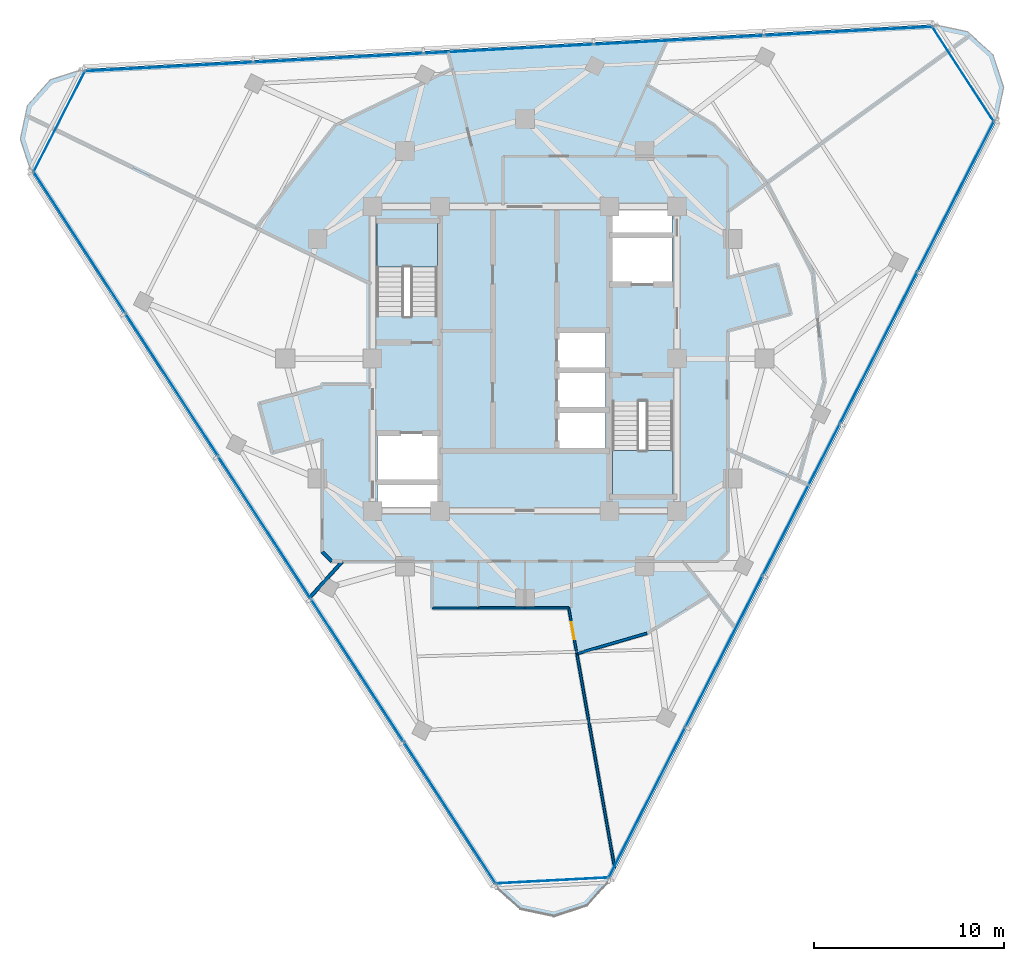
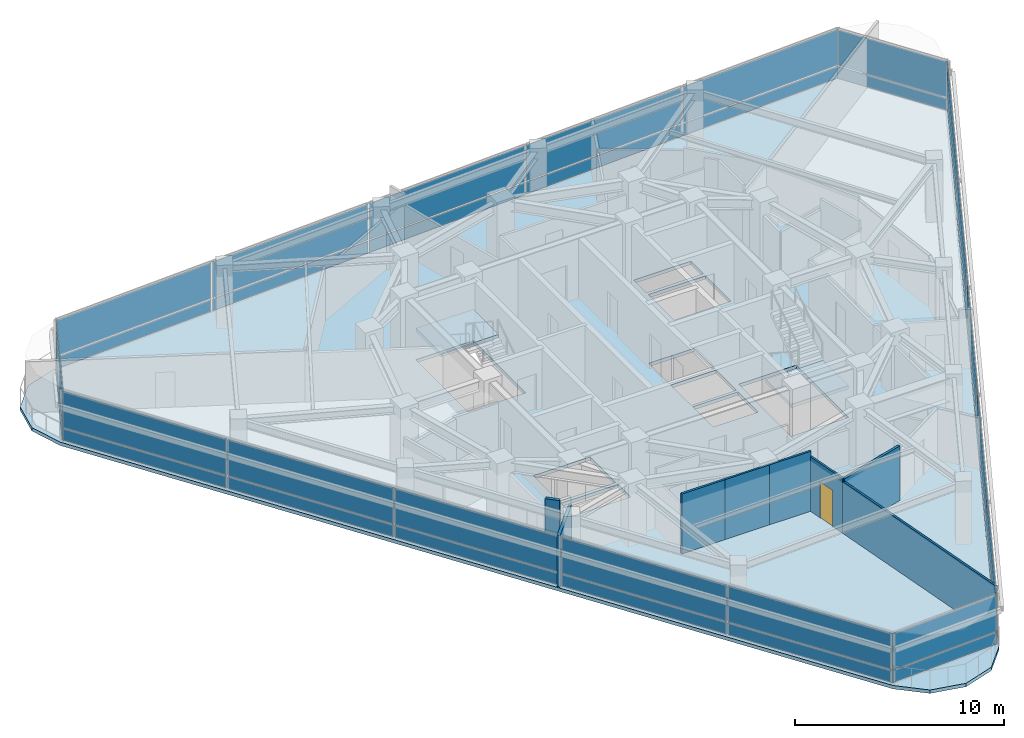
# One storey, part 7 of 15: 36 plates, 8 walls, 3 slabs, 1 door, 1 opening, 8 elements without a shape of their own.
"""IFC4 building model written with IfcOpenShell, lengths in metres."""

from ifc_helpers import new_model, si_unit, direction, frame, frame_2d, origin, origin_2d, place, context, subcontext, project, spatial, polyline, rectangle, outline, extrude, material, layer, layer_set, type_object, element, fill, aggregate, save


model = new_model("IFC4")

# Units and contexts
model_context = context("Model", 3, precision=1e-05, world=origin(), true_north=direction((0.0, 1.0)))
body_context = subcontext(model_context, "Body", "Model", "MODEL_VIEW")
ifc_project = project(units=[si_unit("LENGTHUNIT", "METRE"), si_unit("AREAUNIT", "SQUARE_METRE"), si_unit("VOLUMEUNIT", "CUBIC_METRE"), si_unit("PLANEANGLEUNIT", "RADIAN"), si_unit("MASSUNIT", "GRAM", prefix="KILO")], contexts=[model_context])

# Site, building, storey
site_placement = place(None, origin())
site = spatial("IfcSite", under=ifc_project, at=site_placement, CompositionType="ELEMENT")
building_placement = place(site_placement, origin())
building = spatial("IfcBuilding", under=site, at=building_placement, Name="Terralouvre Media Tower", CompositionType="ELEMENT")
storey_placement = place(building_placement, frame((0.0, 0.0, 248.5)))
storey = spatial("IfcBuildingStorey", under=building, at=storey_placement, Name="L64", CompositionType="ELEMENT", Elevation=248.5)

# Slab
ifc_material_1 = material(Name="Concrete C40/50", Category="concrete")
ifc_layer_1 = layer(ifc_material_1, 0.199951171875, Name="Composite Tower Floor Slab S-TYP200")
ifc_layer_set_1 = layer_set([ifc_layer_1], Name="Concrete C40/50")
slab_type_1 = type_object("IfcSlabType", Name="Composite Tower Floor Slab S-TYP200", PredefinedType="FLOOR", material=ifc_layer_set_1)
slab_1_placement = place(storey_placement, frame((0.0, 0.0, -0.199951171875), z_axis=(0.0, 0.0, 1.0), x_axis=(0.45399049974, 0.891006524188, 0.0)))
element("IfcSlab", 1, at=slab_1_placement, inside=storey, type_object=slab_type_1, Name="L64 Structural Floor Slab", PredefinedType="FLOOR", context=body_context, shape_type="SweptSolid", body=[
    extrude(outline(polyline([(-25.43115234375, -11.1826171875), (-25.89990234375, -12.9326171875), (-25.43115234375, -14.6826171875), (-24.14990234375, -15.963623046875), (-22.39990234375, -16.4326171875), (22.39990234375, -16.4326171875), (24.14990234375, -15.963623046875), (25.43115234375, -14.6826171875), (25.89990234375, -12.9326171875), (25.43115234375, -11.1826171875), (3.031005859375, 27.615234375), (1.75, 28.896484375), (0.0, 29.365234375), (-1.75, 28.896484375), (-3.031005859375, 27.615234375), (-25.43115234375, -11.1826171875)]), holes=[polyline([(-7.968994140625, 1.102294921875), (-9.0380859375, 0.5576171875), (-10.46826171875, 3.3642578125), (-9.399169921875, 3.908935546875), (-7.968994140625, 1.102294921875)]), polyline([(-5.60791015625, 2.305419921875), (-7.790771484375, 1.193115234375), (-9.220947265625, 3.999755859375), (-7.037841796875, 5.112060546875), (-5.60791015625, 2.305419921875)]), polyline([(-4.38037109375, -7.39453125), (0.088134765625, -5.117919921875), (1.53173828125, -7.951171875), (-2.936767578125, -10.22802734375), (-4.38037109375, -7.39453125)]), polyline([(-0.547607421875, -5.048828125), (-2.276123046875, -5.9296875), (-3.4111328125, -3.7021484375), (-1.6826171875, -2.8212890625), (-0.547607421875, -5.048828125)]), polyline([(1.323486328125, -4.095458984375), (-0.405029296875, -4.976318359375), (-1.5400390625, -2.748779296875), (0.188720703125, -1.867919921875), (1.323486328125, -4.095458984375)]), polyline([(3.194580078125, -3.14208984375), (1.466064453125, -4.02294921875), (0.3310546875, -1.79541015625), (2.059814453125, -0.91455078125), (3.194580078125, -3.14208984375)]), polyline([(4.38037109375, 7.39453125), (-0.088134765625, 5.117919921875), (-1.53173828125, 7.951171875), (2.936767578125, 10.22802734375), (4.38037109375, 7.39453125)]), polyline([(7.037841796875, -5.112060546875), (5.60791015625, -2.305419921875), (7.790771484375, -1.193115234375), (9.220947265625, -3.999755859375), (7.037841796875, -5.112060546875)]), polyline([(9.399169921875, -3.908935546875), (7.968994140625, -1.102294921875), (9.0380859375, -0.5576171875), (10.46826171875, -3.3642578125), (9.399169921875, -3.908935546875)])]), origin(), (0.0, 0.0, 1.0), 0.199951171875),
])

# Stair, slab
ifc_material_2 = material(Name="Concrete C45/55", Category="concrete")
stair_type_1 = type_object("IfcStairType", Name="Dogleg Stair Assembly ST-01", PredefinedType="HALF_TURN_STAIR", material=ifc_material_2)
stair_1_placement = place(storey_placement, origin())
stair_1 = element("IfcStair", 2, at=stair_1_placement, inside=storey, type_object=stair_type_1, Name="L64 Core Pressurised Exit Stair ST-01", PredefinedType="HALF_TURN_STAIR")
ifc_material_3 = material(Name="Concrete C45/55", Category="concrete")
ifc_layer_2 = layer(ifc_material_3, 0.199951171875, Name="Reinforced Concrete Stair Half-Landing SL-LD1")
ifc_layer_set_2 = layer_set([ifc_layer_2], Name="Concrete C45/55")
slab_type_2 = type_object("IfcSlabType", Name="Reinforced Concrete Stair Half-Landing SL-LD1", PredefinedType="LANDING", material=ifc_layer_set_2)
slab_2_placement = place(storey_placement, frame((0.0, 0.0, 1.64990234375)))
slab_2 = element("IfcSlab", 3, at=slab_2_placement, type_object=slab_type_2, Name="ST-01 landing 1", PredefinedType="LANDING", context=body_context, shape_type="SweptSolid", body=[
    extrude(outline(polyline([(-4.60009765625, 4.820068359375), (-4.60009765625, 7.260009765625), (-7.780029296875, 7.260009765625), (-7.780029296875, 4.820068359375), (-4.60009765625, 4.820068359375)])), origin(), (0.0, 0.0, 1.0), 0.2001953125),
])
aggregate(stair_1, [slab_2])

ifc_material_4 = material(Name="Concrete C45/55", Category="concrete")
stair_type_2 = type_object("IfcStairType", Name="Dogleg Stair Assembly ST-02", PredefinedType="HALF_TURN_STAIR", material=ifc_material_4)
stair_2_placement = place(storey_placement, origin())
stair_2 = element("IfcStair", 4, at=stair_2_placement, inside=storey, type_object=stair_type_2, Name="L64 Core Pressurised Exit Stair ST-02", PredefinedType="HALF_TURN_STAIR")
slab_3_placement = place(storey_placement, frame((0.0, 0.0, 1.64990234375)))
slab_3 = element("IfcSlab", 5, at=slab_3_placement, type_object=slab_type_2, Name="ST-02 landing 1", PredefinedType="LANDING", context=body_context, shape_type="SweptSolid", body=[
    extrude(outline(polyline([(4.60009765625, -4.820068359375), (4.60009765625, -7.260009765625), (7.780029296875, -7.260009765625), (7.780029296875, -4.820068359375), (4.60009765625, -4.820068359375)])), origin(), (0.0, 0.0, 1.0), 0.2001953125),
])
aggregate(stair_2, [slab_3])

# Curtain wall, plates
ifc_material_5 = material(Name="Low-iron laminated double glazing with solar-control coating", Category="glass")
ifc_layer_3 = layer(ifc_material_5, 0.1650390625, Name="Rounded Wind-Corner Curved Glazing CW-04")
ifc_layer_set_3 = layer_set([ifc_layer_3], Name="Low-iron laminated double glazing with solar-control coating")
curtain_wall_type_1 = type_object("IfcCurtainWallType", Name="Rounded Wind-Corner Curved Glazing CW-04", PredefinedType="NOTDEFINED", material=ifc_layer_set_3)
curtain_wall_1_placement = place(storey_placement, origin())
curtain_wall_1 = element("IfcCurtainWall", 6, at=curtain_wall_1_placement, inside=storey, type_object=curtain_wall_type_1, Name="L64 Rounded Wind-Corner Curtain Wall C0", PredefinedType="NOTDEFINED")
ifc_material_6 = material(Name="Low-iron laminated double glazing with solar-control coating", Category="glass")
ifc_layer_4 = layer(ifc_material_6, 0.0400390625, Name="Rounded Corner Laminated Vision Panel CWP-03")
ifc_layer_set_4 = layer_set([ifc_layer_4], Name="Low-iron laminated double glazing with solar-control coating")
plate_type_1 = type_object("IfcPlateType", Name="Rounded Corner Laminated Vision Panel CWP-03", PredefinedType="CURTAIN_PANEL", material=ifc_layer_set_4)
plate_1_placement = place(storey_placement, frame((1.43798828125, -27.437744140625, 0.074951171875), z_axis=(0.0, 0.0, 1.0), x_axis=(0.998629533744, 0.05233597552, 0.0)))
plate_1 = element("IfcPlate", 7, at=plate_1_placement, type_object=plate_type_1, Name="CW-04 panel 1.1", PredefinedType="CURTAIN_PANEL", context=body_context, shape_type="SweptSolid", body=[
    extrude(rectangle(XDim=5.912109375, YDim=0.035888671875, at=origin_2d()), origin(), (0.0, 0.0, 1.0), 0.6875),
])
plate_2_placement = place(storey_placement, frame((1.43798828125, -27.437744140625, 0.837646484375), z_axis=(0.0, 0.0, 1.0), x_axis=(0.998629533744, 0.05233597552, 0.0)))
plate_2 = element("IfcPlate", 8, at=plate_2_placement, type_object=plate_type_1, Name="CW-04 panel 1.2", PredefinedType="CURTAIN_PANEL", context=body_context, shape_type="SweptSolid", body=[
    extrude(rectangle(XDim=5.912109375, YDim=0.035888671875, at=origin_2d()), origin(), (0.0, 0.0, 1.0), 2.08740234375),
])
aggregate(curtain_wall_1, [plate_1, plate_2])

curtain_wall_2_placement = place(storey_placement, origin())
curtain_wall_2 = element("IfcCurtainWall", 9, at=curtain_wall_2_placement, inside=storey, type_object=curtain_wall_type_1, Name="L64 Rounded Wind-Corner Curtain Wall C1", PredefinedType="NOTDEFINED")
plate_3_placement = place(storey_placement, frame((23.042724609375, 14.964111328125, 0.074951171875), z_axis=(0.0, 0.0, 1.0), x_axis=(-0.544639197097, 0.838670462688, 0.0)))
plate_3 = element("IfcPlate", 10, at=plate_3_placement, type_object=plate_type_1, Name="CW-04 panel 1.1", PredefinedType="CURTAIN_PANEL", context=body_context, shape_type="SweptSolid", body=[
    extrude(rectangle(XDim=5.912109375, YDim=0.035888671875, at=origin_2d()), origin(), (0.0, 0.0, 1.0), 0.6875),
])
plate_4_placement = place(storey_placement, frame((23.042724609375, 14.964111328125, 0.837646484375), z_axis=(0.0, 0.0, 1.0), x_axis=(-0.544639197097, 0.838670462688, 0.0)))
plate_4 = element("IfcPlate", 11, at=plate_4_placement, type_object=plate_type_1, Name="CW-04 panel 1.2", PredefinedType="CURTAIN_PANEL", context=body_context, shape_type="SweptSolid", body=[
    extrude(rectangle(XDim=5.912109375, YDim=0.035888671875, at=origin_2d()), origin(), (0.0, 0.0, 1.0), 2.08740234375),
])
aggregate(curtain_wall_2, [plate_3, plate_4])

curtain_wall_3_placement = place(storey_placement, origin())
curtain_wall_3 = element("IfcCurtainWall", 12, at=curtain_wall_3_placement, inside=storey, type_object=curtain_wall_type_1, Name="L64 Rounded Wind-Corner Curtain Wall C2", PredefinedType="NOTDEFINED")
plate_5_placement = place(storey_placement, frame((-24.480712890625, 12.4736328125, 0.074951171875), z_axis=(0.0, 0.0, 1.0), x_axis=(-0.453990349937, -0.891006600517, 0.0)))
plate_5 = element("IfcPlate", 13, at=plate_5_placement, type_object=plate_type_1, Name="CW-04 panel 1.1", PredefinedType="CURTAIN_PANEL", context=body_context, shape_type="SweptSolid", body=[
    extrude(rectangle(XDim=5.912109375, YDim=0.035888671875, at=origin_2d()), origin(), (0.0, 0.0, 1.0), 0.6875),
])
plate_6_placement = place(storey_placement, frame((-24.480712890625, 12.4736328125, 0.837646484375), z_axis=(0.0, 0.0, 1.0), x_axis=(-0.453990349937, -0.891006600517, 0.0)))
plate_6 = element("IfcPlate", 14, at=plate_6_placement, type_object=plate_type_1, Name="CW-04 panel 1.2", PredefinedType="CURTAIN_PANEL", context=body_context, shape_type="SweptSolid", body=[
    extrude(rectangle(XDim=5.912109375, YDim=0.035888671875, at=origin_2d()), origin(), (0.0, 0.0, 1.0), 2.08740234375),
])
aggregate(curtain_wall_3, [plate_5, plate_6])

ifc_material_7 = material(Name="Low-iron laminated double glazing with solar-control coating", Category="glass")
ifc_layer_5 = layer(ifc_material_7, 0.1650390625, Name="Upper Executive Tower Curtain Wall CW-05")
ifc_layer_set_5 = layer_set([ifc_layer_5], Name="Low-iron laminated double glazing with solar-control coating")
curtain_wall_type_2 = type_object("IfcCurtainWallType", Name="Upper Executive Tower Curtain Wall CW-05", PredefinedType="NOTDEFINED", material=ifc_layer_set_5)
curtain_wall_4_placement = place(storey_placement, origin())
curtain_wall_4 = element("IfcCurtainWall", 15, at=curtain_wall_4_placement, inside=storey, type_object=curtain_wall_type_2, Name="L64 Facade Curtain Wall F0", PredefinedType="NOTDEFINED")
ifc_material_8 = material(Name="Low-iron laminated double glazing with solar-control coating", Category="glass")
ifc_layer_6 = layer(ifc_material_8, 0.035888671875, Name="Vision Double-Glazed Unit CWP-01")
ifc_layer_set_6 = layer_set([ifc_layer_6], Name="Low-iron laminated double glazing with solar-control coating")
plate_type_2 = type_object("IfcPlateType", Name="Vision Double-Glazed Unit CWP-01", PredefinedType="CURTAIN_PANEL", material=ifc_layer_set_6)
plate_7_placement = place(storey_placement, frame((6.40771484375, -23.35595703125, 0.074951171875), z_axis=(0.0, 0.0, 1.0), x_axis=(0.45399044259, 0.891006553308, 0.0)))
plate_7 = element("IfcPlate", 16, at=plate_7_placement, type_object=plate_type_2, Name="CW-05 panel 1.1", PredefinedType="CURTAIN_PANEL", context=body_context, shape_type="SweptSolid", body=[
    extrude(rectangle(XDim=8.847412109375, YDim=0.035888671875, at=origin_2d()), origin(), (0.0, 0.0, 1.0), 0.6875),
])
plate_8_placement = place(storey_placement, frame((6.40771484375, -23.35595703125, 0.837646484375), z_axis=(0.0, 0.0, 1.0), x_axis=(0.45399044259, 0.891006553308, 0.0)))
plate_8 = element("IfcPlate", 17, at=plate_8_placement, type_object=plate_type_2, Name="CW-05 panel 1.2", PredefinedType="CURTAIN_PANEL", context=body_context, shape_type="SweptSolid", body=[
    extrude(rectangle(XDim=8.847412109375, YDim=0.035888671875, at=origin_2d()), origin(), (0.0, 0.0, 1.0), 2.08740234375),
])
plate_9_placement = place(storey_placement, frame((10.467041015625, -15.38916015625, 0.074951171875), z_axis=(0.0, 0.0, 1.0), x_axis=(0.45399044259, 0.891006553308, 0.0)))
plate_9 = element("IfcPlate", 18, at=plate_9_placement, type_object=plate_type_2, Name="CW-05 panel 2.1", PredefinedType="CURTAIN_PANEL", context=body_context, shape_type="SweptSolid", body=[
    extrude(rectangle(XDim=8.885009765625, YDim=0.035888671875, at=origin_2d()), origin(), (0.0, 0.0, 1.0), 0.6875),
])
plate_10_placement = place(storey_placement, frame((10.467041015625, -15.38916015625, 0.837646484375), z_axis=(0.0, 0.0, 1.0), x_axis=(0.45399044259, 0.891006553308, 0.0)))
plate_10 = element("IfcPlate", 19, at=plate_10_placement, type_object=plate_type_2, Name="CW-05 panel 2.2", PredefinedType="CURTAIN_PANEL", context=body_context, shape_type="SweptSolid", body=[
    extrude(rectangle(XDim=8.885009765625, YDim=0.035888671875, at=origin_2d()), origin(), (0.0, 0.0, 1.0), 2.08740234375),
])
plate_11_placement = place(storey_placement, frame((14.53466796875, -7.40576171875, 0.074951171875), z_axis=(0.0, 0.0, 1.0), x_axis=(0.45399044259, 0.891006553308, 0.0)))
plate_11 = element("IfcPlate", 20, at=plate_11_placement, type_object=plate_type_2, Name="CW-05 panel 3.1", PredefinedType="CURTAIN_PANEL", context=body_context, shape_type="SweptSolid", body=[
    extrude(rectangle(XDim=8.885009765625, YDim=0.035888671875, at=origin_2d()), origin(), (0.0, 0.0, 1.0), 0.6875),
])
plate_12_placement = place(storey_placement, frame((14.53466796875, -7.40576171875, 0.837646484375), z_axis=(0.0, 0.0, 1.0), x_axis=(0.45399044259, 0.891006553308, 0.0)))
plate_12 = element("IfcPlate", 21, at=plate_12_placement, type_object=plate_type_2, Name="CW-05 panel 3.2", PredefinedType="CURTAIN_PANEL", context=body_context, shape_type="SweptSolid", body=[
    extrude(rectangle(XDim=8.885009765625, YDim=0.035888671875, at=origin_2d()), origin(), (0.0, 0.0, 1.0), 2.08740234375),
])
plate_13_placement = place(storey_placement, frame((18.6025390625, 0.57763671875, 0.074951171875), z_axis=(0.0, 0.0, 1.0), x_axis=(0.45399044259, 0.891006553308, 0.0)))
plate_13 = element("IfcPlate", 22, at=plate_13_placement, type_object=plate_type_2, Name="CW-05 panel 4.1", PredefinedType="CURTAIN_PANEL", context=body_context, shape_type="SweptSolid", body=[
    extrude(rectangle(XDim=8.885009765625, YDim=0.035888671875, at=origin_2d()), origin(), (0.0, 0.0, 1.0), 0.6875),
])
plate_14_placement = place(storey_placement, frame((18.6025390625, 0.57763671875, 0.837646484375), z_axis=(0.0, 0.0, 1.0), x_axis=(0.45399044259, 0.891006553308, 0.0)))
plate_14 = element("IfcPlate", 23, at=plate_14_placement, type_object=plate_type_2, Name="CW-05 panel 4.2", PredefinedType="CURTAIN_PANEL", context=body_context, shape_type="SweptSolid", body=[
    extrude(rectangle(XDim=8.885009765625, YDim=0.035888671875, at=origin_2d()), origin(), (0.0, 0.0, 1.0), 2.08740234375),
])
plate_15_placement = place(storey_placement, frame((22.66162109375, 8.54443359375, 0.074951171875), z_axis=(0.0, 0.0, 1.0), x_axis=(0.45399044259, 0.891006553308, 0.0)))
plate_15 = element("IfcPlate", 24, at=plate_15_placement, type_object=plate_type_2, Name="CW-05 panel 5.1", PredefinedType="CURTAIN_PANEL", context=body_context, shape_type="SweptSolid", body=[
    extrude(rectangle(XDim=8.847412109375, YDim=0.035888671875, at=origin_2d()), origin(), (0.0, 0.0, 1.0), 0.6875),
])
plate_16_placement = place(storey_placement, frame((22.66162109375, 8.54443359375, 0.837646484375), z_axis=(0.0, 0.0, 1.0), x_axis=(0.45399044259, 0.891006553308, 0.0)))
plate_16 = element("IfcPlate", 25, at=plate_16_placement, type_object=plate_type_2, Name="CW-05 panel 5.2", PredefinedType="CURTAIN_PANEL", context=body_context, shape_type="SweptSolid", body=[
    extrude(rectangle(XDim=8.847412109375, YDim=0.035888671875, at=origin_2d()), origin(), (0.0, 0.0, 1.0), 2.08740234375),
])
aggregate(curtain_wall_4, [plate_7, plate_8, plate_9, plate_10, plate_11, plate_12, plate_13, plate_14, plate_15, plate_16])

curtain_wall_5_placement = place(storey_placement, origin())
curtain_wall_5 = element("IfcCurtainWall", 26, at=curtain_wall_5_placement, inside=storey, type_object=curtain_wall_type_2, Name="L64 Facade Curtain Wall F1", PredefinedType="NOTDEFINED")
plate_17_placement = place(storey_placement, frame((17.02294921875, 17.22705078125, 0.074951171875), z_axis=(0.0, 0.0, 1.0), x_axis=(-0.998629523875, -0.052336163844, 0.0)))
plate_17 = element("IfcPlate", 27, at=plate_17_placement, type_object=plate_type_2, Name="CW-05 panel 1.1", PredefinedType="CURTAIN_PANEL", context=body_context, shape_type="SweptSolid", body=[
    extrude(rectangle(XDim=8.847412109375, YDim=0.035888671875, at=origin_2d()), origin(), (0.0, 0.0, 1.0), 0.6875),
])
plate_18_placement = place(storey_placement, frame((17.02294921875, 17.22705078125, 0.837646484375), z_axis=(0.0, 0.0, 1.0), x_axis=(-0.998629523875, -0.052336163844, 0.0)))
plate_18 = element("IfcPlate", 28, at=plate_18_placement, type_object=plate_type_2, Name="CW-05 panel 1.2", PredefinedType="CURTAIN_PANEL", context=body_context, shape_type="SweptSolid", body=[
    extrude(rectangle(XDim=8.847412109375, YDim=0.035888671875, at=origin_2d()), origin(), (0.0, 0.0, 1.0), 2.08740234375),
])
plate_19_placement = place(storey_placement, frame((8.093994140625, 16.75927734375, 0.074951171875), z_axis=(0.0, 0.0, 1.0), x_axis=(-0.998629523875, -0.052336163844, 0.0)))
plate_19 = element("IfcPlate", 29, at=plate_19_placement, type_object=plate_type_2, Name="CW-05 panel 2.1", PredefinedType="CURTAIN_PANEL", context=body_context, shape_type="SweptSolid", body=[
    extrude(rectangle(XDim=8.885009765625, YDim=0.035888671875, at=origin_2d()), origin(), (0.0, 0.0, 1.0), 0.6875),
])
plate_20_placement = place(storey_placement, frame((8.093994140625, 16.75927734375, 0.837646484375), z_axis=(0.0, 0.0, 1.0), x_axis=(-0.998629523875, -0.052336163844, 0.0)))
plate_20 = element("IfcPlate", 30, at=plate_20_placement, type_object=plate_type_2, Name="CW-05 panel 2.2", PredefinedType="CURTAIN_PANEL", context=body_context, shape_type="SweptSolid", body=[
    extrude(rectangle(XDim=8.885009765625, YDim=0.035888671875, at=origin_2d()), origin(), (0.0, 0.0, 1.0), 2.08740234375),
])
plate_21_placement = place(storey_placement, frame((-0.853759765625, 16.290283203125, 0.074951171875), z_axis=(0.0, 0.0, 1.0), x_axis=(-0.998629523875, -0.052336163844, 0.0)))
plate_21 = element("IfcPlate", 31, at=plate_21_placement, type_object=plate_type_2, Name="CW-05 panel 3.1", PredefinedType="CURTAIN_PANEL", context=body_context, shape_type="SweptSolid", body=[
    extrude(rectangle(XDim=8.885009765625, YDim=0.035888671875, at=origin_2d()), origin(), (0.0, 0.0, 1.0), 0.6875),
])
plate_22_placement = place(storey_placement, frame((-0.853759765625, 16.290283203125, 0.837646484375), z_axis=(0.0, 0.0, 1.0), x_axis=(-0.998629523875, -0.052336163844, 0.0)))
plate_22 = element("IfcPlate", 32, at=plate_22_placement, type_object=plate_type_2, Name="CW-05 panel 3.2", PredefinedType="CURTAIN_PANEL", context=body_context, shape_type="SweptSolid", body=[
    extrude(rectangle(XDim=8.885009765625, YDim=0.035888671875, at=origin_2d()), origin(), (0.0, 0.0, 1.0), 2.08740234375),
])
plate_23_placement = place(storey_placement, frame((-9.801513671875, 15.8212890625, 0.074951171875), z_axis=(0.0, 0.0, 1.0), x_axis=(-0.998629523875, -0.052336163844, 0.0)))
plate_23 = element("IfcPlate", 33, at=plate_23_placement, type_object=plate_type_2, Name="CW-05 panel 4.1", PredefinedType="CURTAIN_PANEL", context=body_context, shape_type="SweptSolid", body=[
    extrude(rectangle(XDim=8.885009765625, YDim=0.035888671875, at=origin_2d()), origin(), (0.0, 0.0, 1.0), 0.6875),
])
plate_24_placement = place(storey_placement, frame((-9.801513671875, 15.8212890625, 0.837646484375), z_axis=(0.0, 0.0, 1.0), x_axis=(-0.998629523875, -0.052336163844, 0.0)))
plate_24 = element("IfcPlate", 34, at=plate_24_placement, type_object=plate_type_2, Name="CW-05 panel 4.2", PredefinedType="CURTAIN_PANEL", context=body_context, shape_type="SweptSolid", body=[
    extrude(rectangle(XDim=8.885009765625, YDim=0.035888671875, at=origin_2d()), origin(), (0.0, 0.0, 1.0), 2.08740234375),
])
plate_25_placement = place(storey_placement, frame((-18.73046875, 15.353515625, 0.074951171875), z_axis=(0.0, 0.0, 1.0), x_axis=(-0.998629523875, -0.052336163844, 0.0)))
plate_25 = element("IfcPlate", 35, at=plate_25_placement, type_object=plate_type_2, Name="CW-05 panel 5.1", PredefinedType="CURTAIN_PANEL", context=body_context, shape_type="SweptSolid", body=[
    extrude(rectangle(XDim=8.847412109375, YDim=0.035888671875, at=origin_2d()), origin(), (0.0, 0.0, 1.0), 0.6875),
])
plate_26_placement = place(storey_placement, frame((-18.73046875, 15.353515625, 0.837646484375), z_axis=(0.0, 0.0, 1.0), x_axis=(-0.998629523875, -0.052336163844, 0.0)))
plate_26 = element("IfcPlate", 36, at=plate_26_placement, type_object=plate_type_2, Name="CW-05 panel 5.2", PredefinedType="CURTAIN_PANEL", context=body_context, shape_type="SweptSolid", body=[
    extrude(rectangle(XDim=8.847412109375, YDim=0.035888671875, at=origin_2d()), origin(), (0.0, 0.0, 1.0), 2.08740234375),
])
aggregate(curtain_wall_5, [plate_17, plate_18, plate_19, plate_20, plate_21, plate_22, plate_23, plate_24, plate_25, plate_26])

curtain_wall_6_placement = place(storey_placement, origin())
curtain_wall_6 = element("IfcCurtainWall", 37, at=curtain_wall_6_placement, inside=storey, type_object=curtain_wall_type_2, Name="L64 Facade Curtain Wall F2", PredefinedType="NOTDEFINED")
plate_27_placement = place(storey_placement, frame((-23.4306640625, 6.128662109375, 0.074951171875), z_axis=(0.0, 0.0, 1.0), x_axis=(0.544639069077, -0.838670545826, 0.0)))
plate_27 = element("IfcPlate", 38, at=plate_27_placement, type_object=plate_type_2, Name="CW-05 panel 1.1", PredefinedType="CURTAIN_PANEL", context=body_context, shape_type="SweptSolid", body=[
    extrude(rectangle(XDim=8.847412109375, YDim=0.035888671875, at=origin_2d()), origin(), (0.0, 0.0, 1.0), 0.6875),
])
plate_28_placement = place(storey_placement, frame((-23.4306640625, 6.128662109375, 0.837646484375), z_axis=(0.0, 0.0, 1.0), x_axis=(0.544639069077, -0.838670545826, 0.0)))
plate_28 = element("IfcPlate", 39, at=plate_28_placement, type_object=plate_type_2, Name="CW-05 panel 1.2", PredefinedType="CURTAIN_PANEL", context=body_context, shape_type="SweptSolid", body=[
    extrude(rectangle(XDim=8.847412109375, YDim=0.035888671875, at=origin_2d()), origin(), (0.0, 0.0, 1.0), 2.08740234375),
])
plate_29_placement = place(storey_placement, frame((-18.560791015625, -1.3701171875, 0.074951171875), z_axis=(0.0, 0.0, 1.0), x_axis=(0.544639069077, -0.838670545826, 0.0)))
plate_29 = element("IfcPlate", 40, at=plate_29_placement, type_object=plate_type_2, Name="CW-05 panel 2.1", PredefinedType="CURTAIN_PANEL", context=body_context, shape_type="SweptSolid", body=[
    extrude(rectangle(XDim=8.885009765625, YDim=0.035888671875, at=origin_2d()), origin(), (0.0, 0.0, 1.0), 0.6875),
])
plate_30_placement = place(storey_placement, frame((-18.560791015625, -1.3701171875, 0.837646484375), z_axis=(0.0, 0.0, 1.0), x_axis=(0.544639069077, -0.838670545826, 0.0)))
plate_30 = element("IfcPlate", 41, at=plate_30_placement, type_object=plate_type_2, Name="CW-05 panel 2.2", PredefinedType="CURTAIN_PANEL", context=body_context, shape_type="SweptSolid", body=[
    extrude(rectangle(XDim=8.885009765625, YDim=0.035888671875, at=origin_2d()), origin(), (0.0, 0.0, 1.0), 2.08740234375),
])
plate_31_placement = place(storey_placement, frame((-13.680908203125, -8.884521484375, 0.074951171875), z_axis=(0.0, 0.0, 1.0), x_axis=(0.544639069077, -0.838670545826, 0.0)))
plate_31 = element("IfcPlate", 42, at=plate_31_placement, type_object=plate_type_2, Name="CW-05 panel 3.1", PredefinedType="CURTAIN_PANEL", context=body_context, shape_type="SweptSolid", body=[
    extrude(rectangle(XDim=8.885009765625, YDim=0.035888671875, at=origin_2d()), origin(), (0.0, 0.0, 1.0), 0.6875),
])
plate_32_placement = place(storey_placement, frame((-13.680908203125, -8.884521484375, 0.837646484375), z_axis=(0.0, 0.0, 1.0), x_axis=(0.544639069077, -0.838670545826, 0.0)))
plate_32 = element("IfcPlate", 43, at=plate_32_placement, type_object=plate_type_2, Name="CW-05 panel 3.2", PredefinedType="CURTAIN_PANEL", context=body_context, shape_type="SweptSolid", body=[
    extrude(rectangle(XDim=8.885009765625, YDim=0.035888671875, at=origin_2d()), origin(), (0.0, 0.0, 1.0), 2.08740234375),
])
plate_33_placement = place(storey_placement, frame((-8.801025390625, -16.39892578125, 0.074951171875), z_axis=(0.0, 0.0, 1.0), x_axis=(0.544639069077, -0.838670545826, 0.0)))
plate_33 = element("IfcPlate", 44, at=plate_33_placement, type_object=plate_type_2, Name="CW-05 panel 4.1", PredefinedType="CURTAIN_PANEL", context=body_context, shape_type="SweptSolid", body=[
    extrude(rectangle(XDim=8.885009765625, YDim=0.035888671875, at=origin_2d()), origin(), (0.0, 0.0, 1.0), 0.6875),
])
plate_34_placement = place(storey_placement, frame((-8.801025390625, -16.39892578125, 0.837646484375), z_axis=(0.0, 0.0, 1.0), x_axis=(0.544639069077, -0.838670545826, 0.0)))
plate_34 = element("IfcPlate", 45, at=plate_34_placement, type_object=plate_type_2, Name="CW-05 panel 4.2", PredefinedType="CURTAIN_PANEL", context=body_context, shape_type="SweptSolid", body=[
    extrude(rectangle(XDim=8.885009765625, YDim=0.035888671875, at=origin_2d()), origin(), (0.0, 0.0, 1.0), 2.08740234375),
])
plate_35_placement = place(storey_placement, frame((-3.93115234375, -23.897705078125, 0.074951171875), z_axis=(0.0, 0.0, 1.0), x_axis=(0.544639069077, -0.838670545826, 0.0)))
plate_35 = element("IfcPlate", 46, at=plate_35_placement, type_object=plate_type_2, Name="CW-05 panel 5.1", PredefinedType="CURTAIN_PANEL", context=body_context, shape_type="SweptSolid", body=[
    extrude(rectangle(XDim=8.847412109375, YDim=0.035888671875, at=origin_2d()), origin(), (0.0, 0.0, 1.0), 0.6875),
])
plate_36_placement = place(storey_placement, frame((-3.93115234375, -23.897705078125, 0.837646484375), z_axis=(0.0, 0.0, 1.0), x_axis=(0.544639069077, -0.838670545826, 0.0)))
plate_36 = element("IfcPlate", 47, at=plate_36_placement, type_object=plate_type_2, Name="CW-05 panel 5.2", PredefinedType="CURTAIN_PANEL", context=body_context, shape_type="SweptSolid", body=[
    extrude(rectangle(XDim=8.847412109375, YDim=0.035888671875, at=origin_2d()), origin(), (0.0, 0.0, 1.0), 2.08740234375),
])
aggregate(curtain_wall_6, [plate_27, plate_28, plate_29, plate_30, plate_31, plate_32, plate_33, plate_34, plate_35, plate_36])

# Walls
ifc_material_9 = material(Name="Low-iron laminated double glazing with solar-control coating", Category="glass")
ifc_layer_7 = layer(ifc_material_9, 0.10009765625, Name="Demountable Glazed Office Partition PT-GL100")
ifc_layer_set_7 = layer_set([ifc_layer_7], Name="Low-iron laminated double glazing with solar-control coating")
wall_type_1 = type_object("IfcWallType", Name="Demountable Glazed Office Partition PT-GL100", PredefinedType="MOVABLE", material=ifc_layer_set_7)
wall_1_placement = place(storey_placement, frame((0.0, -13.10009765625, 0.0), z_axis=(0.0, 0.0, 1.0), x_axis=(-1.0, 0.0, 0.0)))
element("IfcWall", 48, at=wall_1_placement, inside=storey, type_object=wall_type_1, Name="L64 Interior Partition 037", PredefinedType="MOVABLE", context=body_context, shape_type="SweptSolid", body=[
    extrude(rectangle(XDim=2.449951171875, YDim=0.10009765625, at=frame_2d((1.22509765625, 0.0))), origin(), (0.0, 0.0, 1.0), 3.5),
])
wall_2_placement = place(storey_placement, frame((2.31005859375, -13.10009765625, 0.0), z_axis=(0.0, 0.0, 1.0), x_axis=(-1.0, 0.0, 0.0)))
element("IfcWall", 49, at=wall_2_placement, inside=storey, type_object=wall_type_1, Name="L64 Interior Partition 038", PredefinedType="MOVABLE", context=body_context, shape_type="SweptSolid", body=[
    extrude(rectangle(XDim=2.31005859375, YDim=0.10009765625, at=frame_2d((1.155029296875, 0.0))), origin(), (0.0, 0.0, 1.0), 3.5),
])
wall_3_placement = place(storey_placement, frame((4.718505859375, -26.75927734375, 0.0), z_axis=(0.0, 0.0, 1.0), x_axis=(-0.173635361328, 0.984810012793, 0.0)))
element("IfcWall", 50, at=wall_3_placement, inside=storey, type_object=wall_type_1, Name="L64 Interior Partition 039", PredefinedType="MOVABLE", context=body_context, shape_type="SweptSolid", body=[
    extrude(rectangle(XDim=11.4228515625, YDim=0.10009765625, at=frame_2d((5.71142578125, 0.0))), origin(), (0.0, 0.0, 1.0), 3.034912109375),
])

# Wall, opening, door
wall_4_placement = place(storey_placement, frame((2.735107421875, -15.510009765625, 0.0), z_axis=(0.0, 0.0, 1.0), x_axis=(-0.173694270709, 0.984799624453, 0.0)))
wall_4 = element("IfcWall", 51, at=wall_4_placement, inside=storey, type_object=wall_type_1, Name="L64 Interior Partition 040", PredefinedType="MOVABLE", context=body_context, shape_type="SweptSolid", body=[
    extrude(rectangle(XDim=2.447021484375, YDim=0.10009765625, at=frame_2d((1.2236328125, 0.0))), origin(), (0.0, 0.0, 1.0), 3.18505859375),
])
opening_placement = place(wall_4_placement, frame((0.763671875, 0.0, 0.0)))
opening = element("IfcOpeningElement", 52, at=opening_placement, cuts=wall_4, Name="Opening ID-03-92X210", PredefinedType="OPENING", context=body_context, shape_type="SweptSolid", body=[
    extrude(rectangle(XDim=0.919921875, YDim=2.10009765625, at=frame_2d((0.4599609375, 1.050048828125))), frame((0.0, 0.06005859375, 0.0), z_axis=(0.0, -1.0, 0.0), x_axis=(1.0, 0.0, 0.0)), (0.0, 0.0, 1.0), 0.1201171875),
])
ifc_material_10 = material(Name="Engineered hardwood acoustic timber leaf", Category="wood")
door_type = type_object("IfcDoorType", Name="Accessible Restroom and Suite Door ID-03 (920x2100)", OperationType="NOTDEFINED", PredefinedType="DOOR", material=ifc_material_10)
door_placement = place(opening_placement, origin())
door = element("IfcDoor", 53, at=door_placement, inside=storey, type_object=door_type, Name="L64 Arts Critique Seminar Room 3 Door", OperationType="SINGLE_SWING_RIGHT", OverallHeight=2.10009765625, OverallWidth=0.919921875, PredefinedType="DOOR", context=body_context, shape_type="SweptSolid", body=[
    extrude(rectangle(XDim=0.919921875, YDim=2.10009765625, at=frame_2d((0.4599609375, 1.050048828125))), frame((0.0, 0.02490234375, 0.0), z_axis=(0.0, -1.0, 0.0), x_axis=(1.0, 0.0, 0.0)), (0.0, 0.0, 1.0), 0.050048828125),
])
fill(opening, door)

# Walls
ifc_material_11 = material(Name="Fire-rated gypsum board drywall partition")
ifc_layer_8 = layer(ifc_material_11, 0.135009765625, Name="Newsroom Acoustic Partition PT-135")
ifc_layer_set_8 = layer_set([ifc_layer_8], Name="Fire-rated gypsum board drywall partition")
wall_type_2 = type_object("IfcWallType", Name="Newsroom Acoustic Partition PT-135", PredefinedType="PARTITIONING", material=ifc_layer_set_8)
wall_5_placement = place(storey_placement, frame((6.426025390625, -14.43408203125, 0.0), z_axis=(0.0, 0.0, 1.0), x_axis=(-0.960041241254, -0.279858562654, 0.0)))
element("IfcWall", 54, at=wall_5_placement, inside=storey, type_object=wall_type_2, Name="L64 Interior Partition 044", PredefinedType="PARTITIONING", context=body_context, shape_type="SweptSolid", body=[
    extrude(rectangle(XDim=3.844482421875, YDim=0.135009765625, at=frame_2d((1.92236328125, 0.0))), origin(), (0.0, 0.0, 1.0), 3.18505859375),
])
ifc_material_12 = material(Name="Fire-rated gypsum board drywall partition")
ifc_layer_9 = layer(ifc_material_12, 0.114990234375, Name="Restroom and Pantry Partition PT-115")
ifc_layer_set_9 = layer_set([ifc_layer_9], Name="Fire-rated gypsum board drywall partition")
wall_type_3 = type_object("IfcWallType", Name="Restroom and Pantry Partition PT-115", PredefinedType="PARTITIONING", material=ifc_layer_set_9)
wall_6_placement = place(storey_placement, frame((-4.85009765625, -13.10009765625, 0.0), z_axis=(0.0, 0.0, 1.0), x_axis=(1.0, 0.0, 0.0)))
element("IfcWall", 55, at=wall_6_placement, inside=storey, type_object=wall_type_3, Name="L64 Interior Partition 035", PredefinedType="PARTITIONING", context=body_context, shape_type="SweptSolid", body=[
    extrude(rectangle(XDim=2.400146484375, YDim=0.114990234375, at=frame_2d((1.2001953125, 0.0))), origin(), (0.0, 0.0, 1.0), 3.5),
])
ifc_material_13 = material(Name="Fire-rated gypsum board drywall partition")
ifc_layer_10 = layer(ifc_material_13, 0.159912109375, Name="Studio Acoustic Rated Partition PT-160")
ifc_layer_set_10 = layer_set([ifc_layer_10], Name="Fire-rated gypsum board drywall partition")
wall_type_4 = type_object("IfcWallType", Name="Studio Acoustic Rated Partition PT-160", PredefinedType="PARTITIONING", material=ifc_layer_set_10)
wall_7_placement = place(storey_placement, frame((-10.64990234375, -10.14990234375, 0.0), z_axis=(0.0, 0.0, 1.0), x_axis=(0.707106781187, -0.707106781187, 0.0)))
element("IfcWall", 56, at=wall_7_placement, inside=storey, type_object=wall_type_4, Name="L64 Interior Partition 006", PredefinedType="PARTITIONING", context=body_context, shape_type="SweptSolid", body=[
    extrude(rectangle(XDim=0.70703125, YDim=0.159912109375, at=frame_2d((0.353515625, 0.0))), origin(), (0.0, 0.0, 1.0), 3.5),
])
wall_8_placement = place(storey_placement, frame((-11.327880859375, -12.5810546875, 0.0), z_axis=(0.0, 0.0, 1.0), x_axis=(0.669120437161, 0.743153981739, 0.0)))
element("IfcWall", 57, at=wall_8_placement, inside=storey, type_object=wall_type_4, Name="L64 Interior Partition 026", PredefinedType="PARTITIONING", context=body_context, shape_type="SweptSolid", body=[
    extrude(rectangle(XDim=2.5986328125, YDim=0.159912109375, at=frame_2d((1.29931640625, 0.0))), origin(), (0.0, 0.0, 1.0), 3.034912109375),
])

save(model, "model.ifc")
